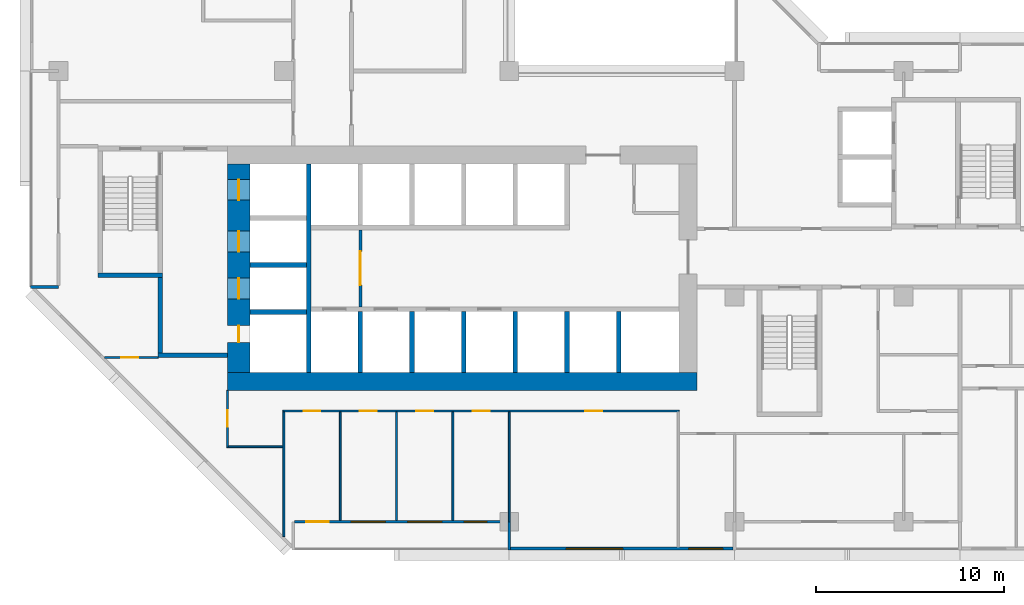
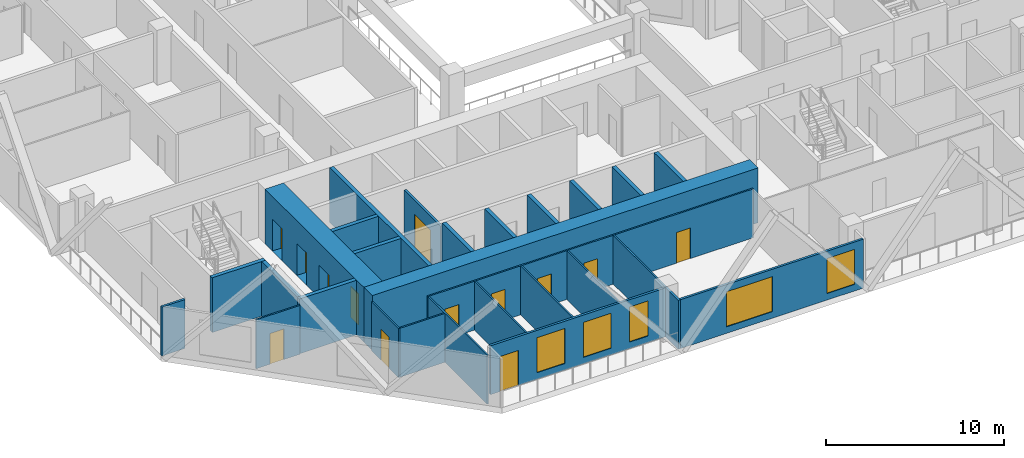
# One storey, part 4 of 15: 28 walls, 13 doors, 5 windows, 18 openings.
"""IFC4 building model written with IfcOpenShell, lengths in metres."""

from ifc_helpers import new_model, si_unit, direction, frame, frame_2d, origin, place, context, subcontext, project, spatial, rectangle, extrude, material, layer, layer_set, type_object, element, fill, save


model = new_model("IFC4")

# Units and contexts
model_context = context("Model", 3, precision=1e-05, world=origin(), true_north=direction((0.0, 1.0)))
body_context = subcontext(model_context, "Body", "Model", "MODEL_VIEW")
ifc_project = project(units=[si_unit("LENGTHUNIT", "METRE"), si_unit("AREAUNIT", "SQUARE_METRE"), si_unit("VOLUMEUNIT", "CUBIC_METRE"), si_unit("PLANEANGLEUNIT", "RADIAN"), si_unit("MASSUNIT", "GRAM", prefix="KILO")], contexts=[model_context])

# Site, building, storey
site_placement = place(None, origin())
site = spatial("IfcSite", under=ifc_project, at=site_placement, CompositionType="ELEMENT")
building_placement = place(site_placement, origin())
building = spatial("IfcBuilding", under=site, at=building_placement, Name="Chenar Terraces", CompositionType="ELEMENT")
storey_placement = place(building_placement, frame((0.0, 0.0, 114.39990234375)))
storey = spatial("IfcBuildingStorey", under=building, at=storey_placement, Name="L26", CompositionType="ELEMENT", Elevation=114.39990234375)

# Wall, opening, door
ifc_material_1 = material(Name="Gypsum board on steel studs", Category="steel")
ifc_layer_1 = layer(ifc_material_1, 0.14990234375)
ifc_layer_set_1 = layer_set([ifc_layer_1], Name="Gypsum board on steel studs")
wall_type_1 = type_object("IfcWallType", Name="Core partition 150 gypsum board", PredefinedType="PARTITIONING", material=ifc_layer_set_1)
wall_1_placement = place(storey_placement, frame((16.074951171875, 11.449951171875, 0.0), z_axis=(0.0, 0.0, 1.0), x_axis=(0.0, 1.0, 0.0)))
wall_1 = element("IfcWall", 1, at=wall_1_placement, inside=storey, type_object=wall_type_1, Name="Core partition CP1 lift lobby smoke stop", PredefinedType="PARTITIONING", context=body_context, shape_type="SweptSolid", body=[
    extrude(rectangle(XDim=4.10009765625, YDim=0.14990234375, at=frame_2d((2.050048828125, 0.0))), origin(), (0.0, 0.0, 1.0), 3.35009765625),
])
opening_1_placement = place(wall_1_placement, frame((1.14990234375, 0.0, 0.0)))
opening_1 = element("IfcOpeningElement", 2, at=opening_1_placement, cuts=wall_1, Name="Opening DL26-C12", PredefinedType="OPENING", context=body_context, shape_type="SweptSolid", body=[
    extrude(rectangle(XDim=1.800048828125, YDim=2.39990234375, at=frame_2d((0.89990234375, 1.199951171875))), frame((0.0, 0.0849609375, 0.0), z_axis=(0.0, -1.0, 0.0), x_axis=(1.0, 0.0, 0.0)), (0.0, 0.0, 1.0), 0.169921875),
])
ifc_material_2 = material(Name="Steel-framed fire-resisting door leaf", Category="steel")
door_type_1 = type_object("IfcDoorType", Name="Core entrance double fire door FD60 1800 x 2400", OperationType="DOUBLE_DOOR_SINGLE_SWING", PredefinedType="DOOR", material=ifc_material_2)
door_1_placement = place(opening_1_placement, origin())
door_1 = element("IfcDoor", 3, at=door_1_placement, inside=storey, type_object=door_type_1, Name="Core door DL26-C12", OperationType="DOUBLE_DOOR_SINGLE_SWING", OverallHeight=2.39990234375, OverallWidth=1.800048828125, PredefinedType="DOOR", context=body_context, shape_type="SweptSolid", body=[
    extrude(rectangle(XDim=1.800048828125, YDim=2.39990234375, at=frame_2d((0.89990234375, 1.199951171875))), frame((0.0, 0.02490234375, 0.0), z_axis=(0.0, -1.0, 0.0), x_axis=(1.0, 0.0, 0.0)), (0.0, 0.0, 1.0), 0.050048828125),
])
fill(opening_1, door_1)

# Wall, openings, doors
ifc_material_3 = material(Name="Concrete C70/85", Category="concrete")
ifc_layer_2 = layer(ifc_material_3, 1.199951171875)
ifc_layer_set_2 = layer_set([ifc_layer_2], Name="Concrete C70/85")
wall_type_2 = type_object("IfcWallType", Name="Core wall 1200 Concrete C70/85", PredefinedType="SHEAR", material=ifc_layer_set_2)
wall_2_placement = place(storey_placement, frame((9.60009765625, 7.949951171875, 0.0), z_axis=(0.0, 0.0, 1.0), x_axis=(0.0, 1.0, 0.0)))
wall_2 = element("IfcWall", 4, at=wall_2_placement, inside=storey, type_object=wall_type_2, Name="Core wall W L26", PredefinedType="SHEAR", context=body_context, shape_type="SweptSolid", body=[
    extrude(rectangle(XDim=11.10009765625, YDim=1.199951171875, at=frame_2d((5.550048828125, 0.0))), origin(), (0.0, 0.0, 1.0), 3.75),
])
opening_2_placement = place(wall_2_placement, frame((3.925048828125, 0.0, 0.0)))
opening_2 = element("IfcOpeningElement", 5, at=opening_2_placement, cuts=wall_2, Name="Opening DL26-LD5", PredefinedType="OPENING", context=body_context, shape_type="SweptSolid", body=[
    extrude(rectangle(XDim=1.10009765625, YDim=2.199951171875, at=frame_2d((0.550048828125, 1.10009765625))), frame((0.0, 0.60986328125, 0.0), z_axis=(0.0, -1.0, 0.0), x_axis=(1.0, 0.0, 0.0)), (0.0, 0.0, 1.0), 1.219970703125),
])
opening_3_placement = place(wall_2_placement, frame((6.425048828125, 0.0, 0.0)))
opening_3 = element("IfcOpeningElement", 6, at=opening_3_placement, cuts=wall_2, Name="Opening DL26-LD6", PredefinedType="OPENING", context=body_context, shape_type="SweptSolid", body=[
    extrude(rectangle(XDim=1.10009765625, YDim=2.199951171875, at=frame_2d((0.550048828125, 1.10009765625))), frame((0.0, 0.60986328125, 0.0), z_axis=(0.0, -1.0, 0.0), x_axis=(1.0, 0.0, 0.0)), (0.0, 0.0, 1.0), 1.219970703125),
])
opening_4_placement = place(wall_2_placement, frame((9.175048828125, 0.0, 0.0)))
opening_4 = element("IfcOpeningElement", 7, at=opening_4_placement, cuts=wall_2, Name="Opening DL26-LD7", PredefinedType="OPENING", context=body_context, shape_type="SweptSolid", body=[
    extrude(rectangle(XDim=1.10009765625, YDim=2.199951171875, at=frame_2d((0.550048828125, 1.10009765625))), frame((0.0, 0.60986328125, 0.0), z_axis=(0.0, -1.0, 0.0), x_axis=(1.0, 0.0, 0.0)), (0.0, 0.0, 1.0), 1.219970703125),
])
opening_5_placement = place(wall_2_placement, frame((1.60009765625, 0.0, 0.0)))
opening_5 = element("IfcOpeningElement", 8, at=opening_5_placement, cuts=wall_2, Name="Opening DL26-C4", PredefinedType="OPENING", context=body_context, shape_type="SweptSolid", body=[
    extrude(rectangle(XDim=0.89990234375, YDim=2.10009765625, at=frame_2d((0.449951171875, 1.050048828125))), frame((0.0, 0.60986328125, 0.0), z_axis=(0.0, -1.0, 0.0), x_axis=(1.0, 0.0, 0.0)), (0.0, 0.0, 1.0), 1.219970703125),
])
ifc_material_4 = material(Name="Stainless steel", Category="steel")
door_type_2 = type_object("IfcDoorType", Name="Lift landing door 1100 x 2200 sliding", OperationType="DOUBLE_DOOR_SLIDING", PredefinedType="DOOR", material=ifc_material_4)
door_2_placement = place(opening_2_placement, origin())
door_2 = element("IfcDoor", 9, at=door_2_placement, inside=storey, type_object=door_type_2, Name="Landing door S1", OperationType="DOUBLE_DOOR_SLIDING", OverallHeight=2.199951171875, OverallWidth=1.10009765625, PredefinedType="DOOR", context=body_context, shape_type="SweptSolid", body=[
    extrude(rectangle(XDim=1.10009765625, YDim=2.199951171875, at=frame_2d((0.550048828125, 1.10009765625))), frame((0.0, 0.02490234375, 0.0), z_axis=(0.0, -1.0, 0.0), x_axis=(1.0, 0.0, 0.0)), (0.0, 0.0, 1.0), 0.050048828125),
])
fill(opening_2, door_2)
door_3_placement = place(opening_3_placement, origin())
door_3 = element("IfcDoor", 10, at=door_3_placement, inside=storey, type_object=door_type_2, Name="Landing door F1", OperationType="DOUBLE_DOOR_SLIDING", OverallHeight=2.199951171875, OverallWidth=1.10009765625, PredefinedType="DOOR", context=body_context, shape_type="SweptSolid", body=[
    extrude(rectangle(XDim=1.10009765625, YDim=2.199951171875, at=frame_2d((0.550048828125, 1.10009765625))), frame((0.0, 0.02490234375, 0.0), z_axis=(0.0, -1.0, 0.0), x_axis=(1.0, 0.0, 0.0)), (0.0, 0.0, 1.0), 0.050048828125),
])
fill(opening_3, door_3)
door_4_placement = place(opening_4_placement, origin())
door_4 = element("IfcDoor", 11, at=door_4_placement, inside=storey, type_object=door_type_2, Name="Landing door F2", OperationType="DOUBLE_DOOR_SLIDING", OverallHeight=2.199951171875, OverallWidth=1.10009765625, PredefinedType="DOOR", context=body_context, shape_type="SweptSolid", body=[
    extrude(rectangle(XDim=1.10009765625, YDim=2.199951171875, at=frame_2d((0.550048828125, 1.10009765625))), frame((0.0, 0.02490234375, 0.0), z_axis=(0.0, -1.0, 0.0), x_axis=(1.0, 0.0, 0.0)), (0.0, 0.0, 1.0), 0.050048828125),
])
fill(opening_4, door_4)
ifc_material_5 = material(Name="Steel-framed fire-resisting door leaf", Category="steel")
door_type_3 = type_object("IfcDoorType", Name="Riser fire door FD60 900 x 2100", OperationType="SINGLE_SWING_LEFT", PredefinedType="DOOR", material=ifc_material_5)
door_5_placement = place(opening_5_placement, frame((0.89990234375, 0.0, 0.0), z_axis=(0.0, 0.0, 1.0), x_axis=(-1.0, 0.0, 0.0)))
door_5 = element("IfcDoor", 12, at=door_5_placement, inside=storey, type_object=door_type_3, Name="Riser door DL26-C4", OperationType="SINGLE_SWING_LEFT", OverallHeight=2.10009765625, OverallWidth=0.89990234375, PredefinedType="DOOR", context=body_context, shape_type="SweptSolid", body=[
    extrude(rectangle(XDim=0.89990234375, YDim=2.10009765625, at=frame_2d((0.449951171875, 1.050048828125))), frame((0.0, 0.02490234375, 0.0), z_axis=(0.0, -1.0, 0.0), x_axis=(1.0, 0.0, 0.0)), (0.0, 0.0, 1.0), 0.050048828125),
])
fill(opening_5, door_5)

# Walls
ifc_material_6 = material(Name="Concrete C70/85", Category="concrete")
ifc_layer_3 = layer(ifc_material_6, 0.25)
ifc_layer_set_3 = layer_set([ifc_layer_3], Name="Concrete C70/85")
wall_type_3 = type_object("IfcWallType", Name="Core wall 250 Concrete C70/85", PredefinedType="SHEAR", material=ifc_layer_set_3)
wall_3_placement = place(storey_placement, frame((13.324951171875, 7.949951171875, 0.0), z_axis=(0.0, 0.0, 1.0), x_axis=(0.0, 1.0, 0.0)))
element("IfcWall", 13, at=wall_3_placement, inside=storey, type_object=wall_type_3, Name="Core wall WI L26", PredefinedType="SHEAR", context=body_context, shape_type="SweptSolid", body=[
    extrude(rectangle(XDim=11.10009765625, YDim=0.25, at=frame_2d((5.550048828125, 0.0))), origin(), (0.0, 0.0, 1.0), 3.75),
])
for number, where, z_axis, x_axis, name in (
    (14, (10.199951171875, 11.175048828125, 0.0), (0.0, 0.0, 1.0), (1.0, 0.0, 0.0), "Core wall HW0 L26"),
    (15, (10.199951171875, 13.675048828125, 0.0), (0.0, 0.0, 1.0), (1.0, 0.0, 0.0), "Core wall HW1 L26"),
):
    element("IfcWall", number, at=place(storey_placement, frame(where, z_axis=z_axis, x_axis=x_axis)), inside=storey, type_object=wall_type_3, Name=name, PredefinedType="SHEAR", context=body_context, shape_type="SweptSolid", body=[
        extrude(rectangle(XDim=3.0, YDim=0.25, at=frame_2d((1.5, 0.0))), origin(), (0.0, 0.0, 1.0), 3.75),
    ])
for number, where, z_axis, x_axis, name in (
    (16, (16.074951171875, 7.949951171875, 0.0), (0.0, 0.0, 1.0), (0.0, 1.0, 0.0), "Core wall SS0 L26"),
    (17, (18.824951171875, 7.949951171875, 0.0), (0.0, 0.0, 1.0), (0.0, 1.0, 0.0), "Core wall SS1 L26"),
    (18, (21.574951171875, 7.949951171875, 0.0), (0.0, 0.0, 1.0), (0.0, 1.0, 0.0), "Core wall SS2 L26"),
    (19, (24.324951171875, 7.949951171875, 0.0), (0.0, 0.0, 1.0), (0.0, 1.0, 0.0), "Core wall SS3 L26"),
    (20, (27.074951171875, 7.949951171875, 0.0), (0.0, 0.0, 1.0), (0.0, 1.0, 0.0), "Core wall SS4 L26"),
    (21, (29.824951171875, 7.949951171875, 0.0), (0.0, 0.0, 1.0), (0.0, 1.0, 0.0), "Core wall SS5 L26"),
):
    element("IfcWall", number, at=place(storey_placement, frame(where, z_axis=z_axis, x_axis=x_axis)), inside=storey, type_object=wall_type_3, Name=name, PredefinedType="SHEAR", context=body_context, shape_type="SweptSolid", body=[
        extrude(rectangle(XDim=3.25, YDim=0.25, at=frame_2d((1.625, 0.0))), origin(), (0.0, 0.0, 1.0), 3.75),
    ])
wall_4_placement = place(storey_placement, frame((2.10009765625, 13.125, 0.0), z_axis=(0.0, 0.0, 1.0), x_axis=(1.0, 0.0, 0.0)))
element("IfcWall", 22, at=wall_4_placement, inside=storey, type_object=wall_type_3, Name="Core wall ST1_S L26", PredefinedType="SHEAR", context=body_context, shape_type="SweptSolid", body=[
    extrude(rectangle(XDim=3.449951171875, YDim=0.25, at=frame_2d((1.72509765625, 0.0))), origin(), (0.0, 0.0, 1.0), 3.75),
])
wall_5_placement = place(storey_placement, frame((5.300048828125, 8.875, 0.0), z_axis=(0.0, 0.0, 1.0), x_axis=(1.0, 0.0, 0.0)))
element("IfcWall", 23, at=wall_5_placement, inside=storey, type_object=wall_type_3, Name="Core wall FFL_S L26", PredefinedType="SHEAR", context=body_context, shape_type="SweptSolid", body=[
    extrude(rectangle(XDim=3.699951171875, YDim=0.25, at=frame_2d((1.85009765625, 0.0))), origin(), (0.0, 0.0, 1.0), 3.75),
])
wall_6_placement = place(storey_placement, frame((5.425048828125, 9.0, 0.0), z_axis=(0.0, 0.0, 1.0), x_axis=(0.0, 1.0, 0.0)))
element("IfcWall", 24, at=wall_6_placement, inside=storey, type_object=wall_type_3, Name="Core wall FFL_W L26", PredefinedType="SHEAR", context=body_context, shape_type="SweptSolid", body=[
    extrude(rectangle(XDim=4.0, YDim=0.25, at=frame_2d((2.0, 0.0))), origin(), (0.0, 0.0, 1.0), 3.75),
])
ifc_material_7 = material(Name="Concrete C70/85", Category="concrete")
ifc_layer_4 = layer(ifc_material_7, 0.949951171875)
ifc_layer_set_4 = layer_set([ifc_layer_4], Name="Concrete C70/85")
wall_type_4 = type_object("IfcWallType", Name="Core wall 950 Concrete C70/85", PredefinedType="SHEAR", material=ifc_layer_set_4)
wall_7_placement = place(storey_placement, frame((9.0, 7.47509765625, 0.0), z_axis=(0.0, 0.0, 1.0), x_axis=(1.0, 0.0, 0.0)))
element("IfcWall", 25, at=wall_7_placement, inside=storey, type_object=wall_type_4, Name="Core wall S L26", PredefinedType="SHEAR", context=body_context, shape_type="SweptSolid", body=[
    extrude(rectangle(XDim=25.0, YDim=0.949951171875, at=frame_2d((12.5, 0.0))), origin(), (0.0, 0.0, 1.0), 3.75),
])

# Wall, openings, windows
ifc_material_8 = material(Name="Aluminium framed glazing", Category="aluminium")
ifc_layer_5 = layer(ifc_material_8, 0.14990234375)
ifc_layer_set_5 = layer_set([ifc_layer_5], Name="Aluminium framed glazing")
wall_type_5 = type_object("IfcWallType", Name="Glazed flush facade wall 150", PredefinedType="SOLIDWALL", material=ifc_layer_set_5)
wall_8_placement = place(storey_placement, frame((24.074951171875, -1.425048828125, 0.0), z_axis=(0.0, 0.0, 1.0), x_axis=(1.0, 0.0, 0.0)))
wall_8 = element("IfcWall", 26, at=wall_8_placement, inside=storey, type_object=wall_type_5, Name="Glazed flush facade wall", PredefinedType="SOLIDWALL", context=body_context, shape_type="SweptSolid", body=[
    extrude(rectangle(XDim=11.85009765625, YDim=0.14990234375, at=frame_2d((5.925048828125, 0.0))), origin(), (0.0, 0.0, 1.0), 3.35009765625),
])
opening_6_placement = place(wall_8_placement, frame((2.96240234375, 0.0, 0.449951171875)))
opening_6 = element("IfcOpeningElement", 27, at=opening_6_placement, cuts=wall_8, Name="Opening W300x240", PredefinedType="OPENING", context=body_context, shape_type="SweptSolid", body=[
    extrude(rectangle(XDim=3.0, YDim=2.39990234375, at=frame_2d((1.5, 1.199951171875))), frame((0.0, 0.0849609375, 0.0), z_axis=(0.0, -1.0, 0.0), x_axis=(1.0, 0.0, 0.0)), (0.0, 0.0, 1.0), 0.169921875),
])
opening_7_placement = place(wall_8_placement, frame((9.487548828125, 0.0, 0.449951171875)))
opening_7 = element("IfcOpeningElement", 28, at=opening_7_placement, cuts=wall_8, Name="Opening W180x240", PredefinedType="OPENING", context=body_context, shape_type="SweptSolid", body=[
    extrude(rectangle(XDim=1.800048828125, YDim=2.39990234375, at=frame_2d((0.89990234375, 1.199951171875))), frame((0.0, 0.0849609375, 0.0), z_axis=(0.0, -1.0, 0.0), x_axis=(1.0, 0.0, 0.0)), (0.0, 0.0, 1.0), 0.169921875),
])
ifc_material_9 = material(Name="Low emissivity double glazing, aluminium frame", Category="aluminium")
window_type_1 = type_object("IfcWindowType", Name="Fixed light 1800 x 2400", PartitioningType="SINGLE_PANEL", PredefinedType="WINDOW", material=ifc_material_9)
window_1_placement = place(opening_7_placement, origin())
window_1 = element("IfcWindow", 29, at=window_1_placement, inside=storey, type_object=window_type_1, Name="Window", OverallHeight=2.39990234375, OverallWidth=1.800048828125, PartitioningType="SINGLE_PANEL", PredefinedType="WINDOW", context=body_context, shape_type="SweptSolid", body=[
    extrude(rectangle(XDim=1.800048828125, YDim=2.39990234375, at=frame_2d((0.89990234375, 1.199951171875))), frame((0.0, 0.030029296875, 0.0), z_axis=(0.0, -1.0, 0.0), x_axis=(1.0, 0.0, 0.0)), (0.0, 0.0, 1.0), 0.06005859375),
])
fill(opening_7, window_1)
ifc_material_10 = material(Name="Low emissivity double glazing, aluminium frame", Category="aluminium")
window_type_2 = type_object("IfcWindowType", Name="Fixed light 3000 x 2400", PartitioningType="SINGLE_PANEL", PredefinedType="WINDOW", material=ifc_material_10)
window_2_placement = place(opening_6_placement, origin())
window_2 = element("IfcWindow", 30, at=window_2_placement, inside=storey, type_object=window_type_2, Name="Window", OverallHeight=2.39990234375, OverallWidth=3.0, PartitioningType="SINGLE_PANEL", PredefinedType="WINDOW", context=body_context, shape_type="SweptSolid", body=[
    extrude(rectangle(XDim=3.0, YDim=2.39990234375, at=frame_2d((1.5, 1.199951171875))), frame((0.0, 0.030029296875, 0.0), z_axis=(0.0, -1.0, 0.0), x_axis=(1.0, 0.0, 0.0)), (0.0, 0.0, 1.0), 0.06005859375),
])
fill(opening_6, window_2)

# Wall, openings, windows, door
ifc_material_11 = material(Name="Aluminium framed glazing", Category="aluminium")
ifc_layer_6 = layer(ifc_material_11, 0.14990234375)
ifc_layer_set_6 = layer_set([ifc_layer_6], Name="Aluminium framed glazing")
wall_type_6 = type_object("IfcWallType", Name="Glazed loggia back wall 150", PredefinedType="SOLIDWALL", material=ifc_layer_set_6)
wall_9_placement = place(storey_placement, frame((12.574951171875, 0.0, 0.0), z_axis=(0.0, 0.0, 1.0), x_axis=(1.0, 0.0, 0.0)))
wall_9 = element("IfcWall", 31, at=wall_9_placement, inside=storey, type_object=wall_type_6, Name="Glazed loggia back wall", PredefinedType="SOLIDWALL", context=body_context, shape_type="SweptSolid", body=[
    extrude(rectangle(XDim=11.35009765625, YDim=0.14990234375, at=frame_2d((5.675048828125, 0.0))), origin(), (0.0, 0.0, 1.0), 3.35009765625),
])
opening_8_placement = place(wall_9_placement, frame((0.612548828125, 0.0, 0.0)))
opening_8 = element("IfcOpeningElement", 32, at=opening_8_placement, cuts=wall_9, Name="Opening DL26-G6", PredefinedType="OPENING", context=body_context, shape_type="SweptSolid", body=[
    extrude(rectangle(XDim=1.199951171875, YDim=2.39990234375, at=frame_2d((0.60009765625, 1.199951171875))), frame((0.0, 0.0849609375, 0.0), z_axis=(0.0, -1.0, 0.0), x_axis=(1.0, 0.0, 0.0)), (0.0, 0.0, 1.0), 0.169921875),
])
opening_9_placement = place(wall_9_placement, frame((3.02490234375, 0.0, 0.449951171875)))
opening_9 = element("IfcOpeningElement", 33, at=opening_9_placement, cuts=wall_9, Name="Opening W180x240", PredefinedType="OPENING", context=body_context, shape_type="SweptSolid", body=[
    extrude(rectangle(XDim=1.800048828125, YDim=2.39990234375, at=frame_2d((0.89990234375, 1.199951171875))), frame((0.0, 0.0849609375, 0.0), z_axis=(0.0, -1.0, 0.0), x_axis=(1.0, 0.0, 0.0)), (0.0, 0.0, 1.0), 0.169921875),
])
opening_10_placement = place(wall_9_placement, frame((6.02490234375, 0.0, 0.449951171875)))
opening_10 = element("IfcOpeningElement", 34, at=opening_10_placement, cuts=wall_9, Name="Opening W180x240", PredefinedType="OPENING", context=body_context, shape_type="SweptSolid", body=[
    extrude(rectangle(XDim=1.800048828125, YDim=2.39990234375, at=frame_2d((0.89990234375, 1.199951171875))), frame((0.0, 0.0849609375, 0.0), z_axis=(0.0, -1.0, 0.0), x_axis=(1.0, 0.0, 0.0)), (0.0, 0.0, 1.0), 0.169921875),
])
opening_11_placement = place(wall_9_placement, frame((9.02490234375, 0.0, 0.449951171875)))
opening_11 = element("IfcOpeningElement", 35, at=opening_11_placement, cuts=wall_9, Name="Opening W120x240", PredefinedType="OPENING", context=body_context, shape_type="SweptSolid", body=[
    extrude(rectangle(XDim=1.199951171875, YDim=2.39990234375, at=frame_2d((0.60009765625, 1.199951171875))), frame((0.0, 0.0849609375, 0.0), z_axis=(0.0, -1.0, 0.0), x_axis=(1.0, 0.0, 0.0)), (0.0, 0.0, 1.0), 0.169921875),
])
ifc_material_12 = material(Name="Low emissivity double glazing, aluminium frame", Category="aluminium")
window_type_3 = type_object("IfcWindowType", Name="Fixed light 1200 x 2400", PartitioningType="SINGLE_PANEL", PredefinedType="WINDOW", material=ifc_material_12)
window_3_placement = place(opening_11_placement, origin())
window_3 = element("IfcWindow", 36, at=window_3_placement, inside=storey, type_object=window_type_3, Name="Window", OverallHeight=2.39990234375, OverallWidth=1.199951171875, PartitioningType="SINGLE_PANEL", PredefinedType="WINDOW", context=body_context, shape_type="SweptSolid", body=[
    extrude(rectangle(XDim=1.199951171875, YDim=2.39990234375, at=frame_2d((0.60009765625, 1.199951171875))), frame((0.0, 0.030029296875, 0.0), z_axis=(0.0, -1.0, 0.0), x_axis=(1.0, 0.0, 0.0)), (0.0, 0.0, 1.0), 0.06005859375),
])
fill(opening_11, window_3)
window_4_placement = place(opening_9_placement, origin())
window_4 = element("IfcWindow", 37, at=window_4_placement, inside=storey, type_object=window_type_1, Name="Window", OverallHeight=2.39990234375, OverallWidth=1.800048828125, PartitioningType="SINGLE_PANEL", PredefinedType="WINDOW", context=body_context, shape_type="SweptSolid", body=[
    extrude(rectangle(XDim=1.800048828125, YDim=2.39990234375, at=frame_2d((0.89990234375, 1.199951171875))), frame((0.0, 0.030029296875, 0.0), z_axis=(0.0, -1.0, 0.0), x_axis=(1.0, 0.0, 0.0)), (0.0, 0.0, 1.0), 0.06005859375),
])
fill(opening_9, window_4)
window_5_placement = place(opening_10_placement, origin())
window_5 = element("IfcWindow", 38, at=window_5_placement, inside=storey, type_object=window_type_1, Name="Window", OverallHeight=2.39990234375, OverallWidth=1.800048828125, PartitioningType="SINGLE_PANEL", PredefinedType="WINDOW", context=body_context, shape_type="SweptSolid", body=[
    extrude(rectangle(XDim=1.800048828125, YDim=2.39990234375, at=frame_2d((0.89990234375, 1.199951171875))), frame((0.0, 0.030029296875, 0.0), z_axis=(0.0, -1.0, 0.0), x_axis=(1.0, 0.0, 0.0)), (0.0, 0.0, 1.0), 0.06005859375),
])
fill(opening_10, window_5)
ifc_material_13 = material(Name="Low emissivity double glazing, aluminium frame", Category="aluminium")
door_type_4 = type_object("IfcDoorType", Name="Loggia glazed double door 1200 x 2400", OperationType="DOUBLE_DOOR_SINGLE_SWING", PredefinedType="DOOR", material=ifc_material_13)
door_6_placement = place(opening_8_placement, frame((1.199951171875, 0.0, 0.0), z_axis=(0.0, 0.0, 1.0), x_axis=(-1.0, 0.0, 0.0)))
door_6 = element("IfcDoor", 39, at=door_6_placement, inside=storey, type_object=door_type_4, Name="Loggia glazed door", OperationType="DOUBLE_DOOR_SINGLE_SWING", OverallHeight=2.39990234375, OverallWidth=1.199951171875, PredefinedType="DOOR", context=body_context, shape_type="SweptSolid", body=[
    extrude(rectangle(XDim=1.199951171875, YDim=2.39990234375, at=frame_2d((0.60009765625, 1.199951171875))), frame((0.0, 0.02490234375, 0.0), z_axis=(0.0, -1.0, 0.0), x_axis=(1.0, 0.0, 0.0)), (0.0, 0.0, 1.0), 0.050048828125),
])
fill(opening_8, door_6)

# Wall, opening, door
ifc_material_14 = material(Name="Gypsum board on steel studs", Category="steel")
ifc_layer_7 = layer(ifc_material_14, 0.10009765625)
ifc_layer_set_7 = layer_set([ifc_layer_7], Name="Gypsum board on steel studs")
wall_type_7 = type_object("IfcWallType", Name="Gypsum partition 100", PredefinedType="PARTITIONING", material=ifc_layer_set_7)
wall_10_placement = place(storey_placement, frame((2.4609375, 8.75, 0.0), z_axis=(0.0, 0.0, 1.0), x_axis=(1.0, 0.0, 0.0)))
wall_10 = element("IfcWall", 40, at=wall_10_placement, inside=storey, type_object=wall_type_7, Name="Partition L26-011", PredefinedType="PARTITIONING", context=body_context, shape_type="SweptSolid", body=[
    extrude(rectangle(XDim=2.839111328125, YDim=0.10009765625, at=frame_2d((1.41943359375, 0.0))), origin(), (0.0, 0.0, 1.0), 3.35009765625),
])
opening_12_placement = place(wall_10_placement, frame((0.888916015625, 0.0, 0.0)))
opening_12 = element("IfcOpeningElement", 41, at=opening_12_placement, cuts=wall_10, Name="Opening DL26-65", PredefinedType="OPENING", context=body_context, shape_type="SweptSolid", body=[
    extrude(rectangle(XDim=0.89990234375, YDim=2.10009765625, at=frame_2d((0.449951171875, 1.050048828125))), frame((0.0, 0.06005859375, 0.0), z_axis=(0.0, -1.0, 0.0), x_axis=(1.0, 0.0, 0.0)), (0.0, 0.0, 1.0), 0.1201171875),
])
ifc_material_15 = material(Name="Veneered timber door leaf", Category="wood")
door_type_5 = type_object("IfcDoorType", Name="Door 900 x 2100", OperationType="SINGLE_SWING_LEFT", PredefinedType="DOOR", material=ifc_material_15)
door_7_placement = place(opening_12_placement, frame((0.89990234375, 0.0, 0.0), z_axis=(0.0, 0.0, 1.0), x_axis=(-1.0, 0.0, 0.0)))
door_7 = element("IfcDoor", 42, at=door_7_placement, inside=storey, type_object=door_type_5, Name="Door DL26-65", OperationType="SINGLE_SWING_RIGHT", OverallHeight=2.10009765625, OverallWidth=0.89990234375, PredefinedType="DOOR", context=body_context, shape_type="SweptSolid", body=[
    extrude(rectangle(XDim=0.89990234375, YDim=2.10009765625, at=frame_2d((0.449951171875, 1.050048828125))), frame((0.0, 0.02490234375, 0.0), z_axis=(0.0, -1.0, 0.0), x_axis=(1.0, 0.0, 0.0)), (0.0, 0.0, 1.0), 0.050048828125),
])
fill(opening_12, door_7)

wall_11_placement = place(storey_placement, frame((9.0, 3.949951171875, 0.0), z_axis=(0.0, 0.0, 1.0), x_axis=(0.0, 1.0, 0.0)))
wall_11 = element("IfcWall", 43, at=wall_11_placement, inside=storey, type_object=wall_type_7, Name="Partition L26-028", PredefinedType="PARTITIONING", context=body_context, shape_type="SweptSolid", body=[
    extrude(rectangle(XDim=3.050048828125, YDim=0.10009765625, at=frame_2d((1.52490234375, 0.0))), origin(), (0.0, 0.0, 1.0), 3.35009765625),
])
opening_13_placement = place(wall_11_placement, frame((1.10009765625, 0.0, 0.0)))
opening_13 = element("IfcOpeningElement", 44, at=opening_13_placement, cuts=wall_11, Name="Opening DL26-64", PredefinedType="OPENING", context=body_context, shape_type="SweptSolid", body=[
    extrude(rectangle(XDim=0.89990234375, YDim=2.10009765625, at=frame_2d((0.449951171875, 1.050048828125))), frame((0.0, 0.06005859375, 0.0), z_axis=(0.0, -1.0, 0.0), x_axis=(1.0, 0.0, 0.0)), (0.0, 0.0, 1.0), 0.1201171875),
])
door_8_placement = place(opening_13_placement, origin())
door_8 = element("IfcDoor", 45, at=door_8_placement, inside=storey, type_object=door_type_5, Name="Door DL26-64", OperationType="SINGLE_SWING_LEFT", OverallHeight=2.10009765625, OverallWidth=0.89990234375, PredefinedType="DOOR", context=body_context, shape_type="SweptSolid", body=[
    extrude(rectangle(XDim=0.89990234375, YDim=2.10009765625, at=frame_2d((0.449951171875, 1.050048828125))), frame((0.0, 0.02490234375, 0.0), z_axis=(0.0, -1.0, 0.0), x_axis=(1.0, 0.0, 0.0)), (0.0, 0.0, 1.0), 0.050048828125),
])
fill(opening_13, door_8)

# Wall
wall_12_placement = place(storey_placement, frame((9.050048828125, 4.0, 0.0), z_axis=(0.0, 0.0, 1.0), x_axis=(1.0, 0.0, 0.0)))
element("IfcWall", 46, at=wall_12_placement, inside=storey, type_object=wall_type_7, Name="Partition L26-029", PredefinedType="PARTITIONING", context=body_context, shape_type="SweptSolid", body=[
    extrude(rectangle(XDim=2.89990234375, YDim=0.10009765625, at=frame_2d((1.449951171875, 0.0))), origin(), (0.0, 0.0, 1.0), 3.35009765625),
])

# Wall, openings, doors
wall_13_placement = place(storey_placement, frame((11.949951171875, 5.89990234375, 0.0), z_axis=(0.0, 0.0, 1.0), x_axis=(1.0, 0.0, 0.0)))
wall_13 = element("IfcWall", 47, at=wall_13_placement, inside=storey, type_object=wall_type_7, Name="Partition L26-030", PredefinedType="PARTITIONING", context=body_context, shape_type="SweptSolid", body=[
    extrude(rectangle(XDim=21.10009765625, YDim=0.10009765625, at=frame_2d((10.550048828125, 0.0))), origin(), (0.0, 0.0, 1.0), 3.35009765625),
])
opening_14_placement = place(wall_13_placement, frame((1.10009765625, 0.0, 0.0)))
opening_14 = element("IfcOpeningElement", 48, at=opening_14_placement, cuts=wall_13, Name="Opening DL26-58", PredefinedType="OPENING", context=body_context, shape_type="SweptSolid", body=[
    extrude(rectangle(XDim=0.89990234375, YDim=2.10009765625, at=frame_2d((0.449951171875, 1.050048828125))), frame((0.0, 0.06005859375, 0.0), z_axis=(0.0, -1.0, 0.0), x_axis=(1.0, 0.0, 0.0)), (0.0, 0.0, 1.0), 0.1201171875),
])
opening_15_placement = place(wall_13_placement, frame((4.10009765625, 0.0, 0.0)))
opening_15 = element("IfcOpeningElement", 49, at=opening_15_placement, cuts=wall_13, Name="Opening DL26-59", PredefinedType="OPENING", context=body_context, shape_type="SweptSolid", body=[
    extrude(rectangle(XDim=0.89990234375, YDim=2.10009765625, at=frame_2d((0.449951171875, 1.050048828125))), frame((0.0, 0.06005859375, 0.0), z_axis=(0.0, -1.0, 0.0), x_axis=(1.0, 0.0, 0.0)), (0.0, 0.0, 1.0), 0.1201171875),
])
opening_16_placement = place(wall_13_placement, frame((7.10009765625, 0.0, 0.0)))
opening_16 = element("IfcOpeningElement", 50, at=opening_16_placement, cuts=wall_13, Name="Opening DL26-60", PredefinedType="OPENING", context=body_context, shape_type="SweptSolid", body=[
    extrude(rectangle(XDim=0.89990234375, YDim=2.10009765625, at=frame_2d((0.449951171875, 1.050048828125))), frame((0.0, 0.06005859375, 0.0), z_axis=(0.0, -1.0, 0.0), x_axis=(1.0, 0.0, 0.0)), (0.0, 0.0, 1.0), 0.1201171875),
])
opening_17_placement = place(wall_13_placement, frame((10.10009765625, 0.0, 0.0)))
opening_17 = element("IfcOpeningElement", 51, at=opening_17_placement, cuts=wall_13, Name="Opening DL26-61", PredefinedType="OPENING", context=body_context, shape_type="SweptSolid", body=[
    extrude(rectangle(XDim=0.89990234375, YDim=2.10009765625, at=frame_2d((0.449951171875, 1.050048828125))), frame((0.0, 0.06005859375, 0.0), z_axis=(0.0, -1.0, 0.0), x_axis=(1.0, 0.0, 0.0)), (0.0, 0.0, 1.0), 0.1201171875),
])
opening_18_placement = place(wall_13_placement, frame((16.10009765625, 0.0, 0.0)))
opening_18 = element("IfcOpeningElement", 52, at=opening_18_placement, cuts=wall_13, Name="Opening DL26-68", PredefinedType="OPENING", context=body_context, shape_type="SweptSolid", body=[
    extrude(rectangle(XDim=0.89990234375, YDim=2.10009765625, at=frame_2d((0.449951171875, 1.050048828125))), frame((0.0, 0.06005859375, 0.0), z_axis=(0.0, -1.0, 0.0), x_axis=(1.0, 0.0, 0.0)), (0.0, 0.0, 1.0), 0.1201171875),
])
door_9_placement = place(opening_14_placement, frame((0.89990234375, 0.0, 0.0), z_axis=(0.0, 0.0, 1.0), x_axis=(-1.0, 0.0, 0.0)))
door_9 = element("IfcDoor", 53, at=door_9_placement, inside=storey, type_object=door_type_5, Name="Door DL26-58", OperationType="SINGLE_SWING_RIGHT", OverallHeight=2.10009765625, OverallWidth=0.89990234375, PredefinedType="DOOR", context=body_context, shape_type="SweptSolid", body=[
    extrude(rectangle(XDim=0.89990234375, YDim=2.10009765625, at=frame_2d((0.449951171875, 1.050048828125))), frame((0.0, 0.02490234375, 0.0), z_axis=(0.0, -1.0, 0.0), x_axis=(1.0, 0.0, 0.0)), (0.0, 0.0, 1.0), 0.050048828125),
])
fill(opening_14, door_9)
door_10_placement = place(opening_15_placement, frame((0.89990234375, 0.0, 0.0), z_axis=(0.0, 0.0, 1.0), x_axis=(-1.0, 0.0, 0.0)))
door_10 = element("IfcDoor", 54, at=door_10_placement, inside=storey, type_object=door_type_5, Name="Door DL26-59", OperationType="SINGLE_SWING_RIGHT", OverallHeight=2.10009765625, OverallWidth=0.89990234375, PredefinedType="DOOR", context=body_context, shape_type="SweptSolid", body=[
    extrude(rectangle(XDim=0.89990234375, YDim=2.10009765625, at=frame_2d((0.449951171875, 1.050048828125))), frame((0.0, 0.02490234375, 0.0), z_axis=(0.0, -1.0, 0.0), x_axis=(1.0, 0.0, 0.0)), (0.0, 0.0, 1.0), 0.050048828125),
])
fill(opening_15, door_10)
door_11_placement = place(opening_16_placement, frame((0.89990234375, 0.0, 0.0), z_axis=(0.0, 0.0, 1.0), x_axis=(-1.0, 0.0, 0.0)))
door_11 = element("IfcDoor", 55, at=door_11_placement, inside=storey, type_object=door_type_5, Name="Door DL26-60", OperationType="SINGLE_SWING_RIGHT", OverallHeight=2.10009765625, OverallWidth=0.89990234375, PredefinedType="DOOR", context=body_context, shape_type="SweptSolid", body=[
    extrude(rectangle(XDim=0.89990234375, YDim=2.10009765625, at=frame_2d((0.449951171875, 1.050048828125))), frame((0.0, 0.02490234375, 0.0), z_axis=(0.0, -1.0, 0.0), x_axis=(1.0, 0.0, 0.0)), (0.0, 0.0, 1.0), 0.050048828125),
])
fill(opening_16, door_11)
door_12_placement = place(opening_17_placement, frame((0.89990234375, 0.0, 0.0), z_axis=(0.0, 0.0, 1.0), x_axis=(-1.0, 0.0, 0.0)))
door_12 = element("IfcDoor", 56, at=door_12_placement, inside=storey, type_object=door_type_5, Name="Door DL26-61", OperationType="SINGLE_SWING_RIGHT", OverallHeight=2.10009765625, OverallWidth=0.89990234375, PredefinedType="DOOR", context=body_context, shape_type="SweptSolid", body=[
    extrude(rectangle(XDim=0.89990234375, YDim=2.10009765625, at=frame_2d((0.449951171875, 1.050048828125))), frame((0.0, 0.02490234375, 0.0), z_axis=(0.0, -1.0, 0.0), x_axis=(1.0, 0.0, 0.0)), (0.0, 0.0, 1.0), 0.050048828125),
])
fill(opening_17, door_12)
door_13_placement = place(opening_18_placement, frame((0.89990234375, 0.0, 0.0), z_axis=(0.0, 0.0, 1.0), x_axis=(-1.0, 0.0, 0.0)))
door_13 = element("IfcDoor", 57, at=door_13_placement, inside=storey, type_object=door_type_5, Name="Door DL26-68", OperationType="SINGLE_SWING_RIGHT", OverallHeight=2.10009765625, OverallWidth=0.89990234375, PredefinedType="DOOR", context=body_context, shape_type="SweptSolid", body=[
    extrude(rectangle(XDim=0.89990234375, YDim=2.10009765625, at=frame_2d((0.449951171875, 1.050048828125))), frame((0.0, 0.02490234375, 0.0), z_axis=(0.0, -1.0, 0.0), x_axis=(1.0, 0.0, 0.0)), (0.0, 0.0, 1.0), 0.050048828125),
])
fill(opening_18, door_13)

# Walls
wall_14_placement = place(storey_placement, frame((12.0, -0.787841796875, 0.0), z_axis=(0.0, 0.0, 1.0), x_axis=(0.0, 1.0, 0.0)))
element("IfcWall", 58, at=wall_14_placement, inside=storey, type_object=wall_type_7, Name="Partition L26-031", PredefinedType="PARTITIONING", context=body_context, shape_type="SweptSolid", body=[
    extrude(rectangle(XDim=6.637939453125, YDim=0.10009765625, at=frame_2d((3.31884765625, 0.0))), origin(), (0.0, 0.0, 1.0), 3.35009765625),
])
for number, where, z_axis, x_axis, name in (
    (59, (15.0, 0.073974609375, 0.0), (0.0, 0.0, 1.0), (0.0, 1.0, 0.0), "Partition L26-033"),
    (60, (18.0, 0.073974609375, 0.0), (0.0, 0.0, 1.0), (0.0, 1.0, 0.0), "Partition L26-045"),
    (61, (21.0, 0.073974609375, 0.0), (0.0, 0.0, 1.0), (0.0, 1.0, 0.0), "Partition L26-055"),
):
    element("IfcWall", number, at=place(storey_placement, frame(where, z_axis=z_axis, x_axis=x_axis)), inside=storey, type_object=wall_type_7, Name=name, PredefinedType="PARTITIONING", context=body_context, shape_type="SweptSolid", body=[
        extrude(rectangle(XDim=5.776123046875, YDim=0.10009765625, at=frame_2d((2.88818359375, 0.0))), origin(), (0.0, 0.0, 1.0), 3.35009765625),
    ])
wall_15_placement = place(storey_placement, frame((24.0, 0.0, 0.0), z_axis=(0.0, 0.0, 1.0), x_axis=(0.0, 1.0, 0.0)))
element("IfcWall", 62, at=wall_15_placement, inside=storey, type_object=wall_type_7, Name="Partition L26-057", PredefinedType="PARTITIONING", context=body_context, shape_type="SweptSolid", body=[
    extrude(rectangle(XDim=5.85009765625, YDim=0.10009765625, at=frame_2d((2.925048828125, 0.0))), origin(), (0.0, 0.0, 1.0), 3.35009765625),
])
ifc_material_16 = material(Name="Terracotta cladding on insulated backing", Category="masonry")
ifc_layer_8 = layer(ifc_material_16, 0.14990234375)
ifc_layer_set_8 = layer_set([ifc_layer_8], Name="Terracotta cladding on insulated backing")
wall_type_8 = type_object("IfcWallType", Name="Loggia return wall 150", PredefinedType="SOLIDWALL", material=ifc_layer_set_8)
for number, where, z_axis, x_axis, name in (
    (63, (-1.5, 12.5, 0.0), (0.0, 0.0, 1.0), (1.0, 0.0, 0.0), "Loggia return wall"),
    (64, (24.0, -1.5, 0.0), (0.0, 0.0, 1.0), (0.0, 1.0, 0.0), "Loggia return wall"),
):
    element("IfcWall", number, at=place(storey_placement, frame(where, z_axis=z_axis, x_axis=x_axis)), inside=storey, type_object=wall_type_8, Name=name, PredefinedType="SOLIDWALL", context=body_context, shape_type="SweptSolid", body=[
        extrude(rectangle(XDim=1.5, YDim=0.14990234375, at=frame_2d((0.75, 0.0))), origin(), (0.0, 0.0, 1.0), 3.35009765625),
    ])

save(model, "model.ifc")
